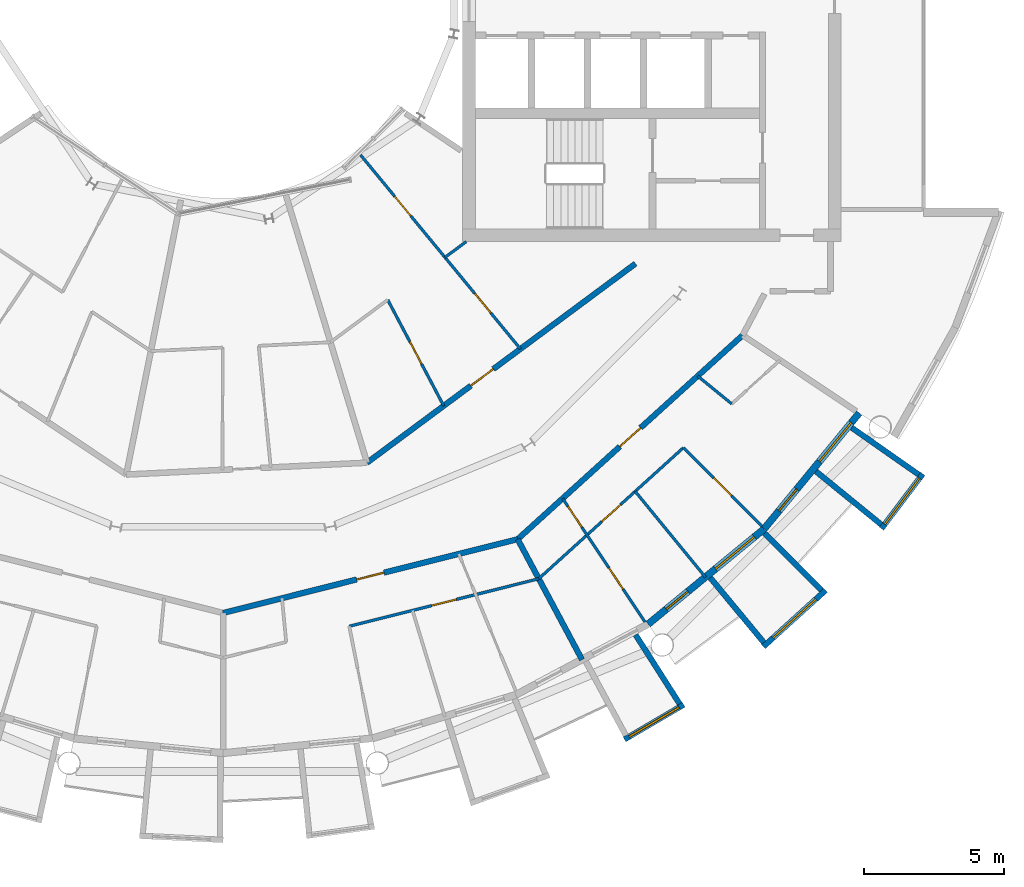
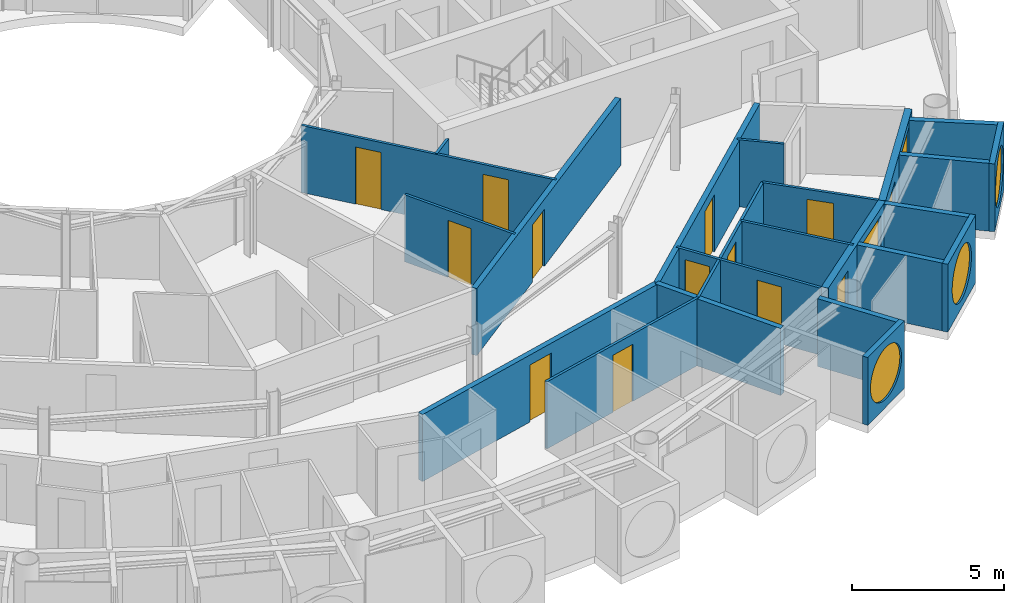
# One storey, part 18 of 29: 23 walls, 13 doors, 5 windows, 18 openings.
"""IFC4 building model written with IfcOpenShell, lengths in metres."""

from ifc_helpers import new_model, si_unit, direction, frame, frame_2d, origin, place, context, subcontext, project, spatial, rectangle, circle, extrude, material, layer, layer_set, type_object, element, fill, save


model = new_model("IFC4")

# Units and contexts
model_context = context("Model", 3, precision=1e-05, world=origin(), true_north=direction((0.0, 1.0)))
body_context = subcontext(model_context, "Body", "Model", "MODEL_VIEW")
ifc_project = project(units=[si_unit("LENGTHUNIT", "METRE"), si_unit("AREAUNIT", "SQUARE_METRE"), si_unit("VOLUMEUNIT", "CUBIC_METRE"), si_unit("PLANEANGLEUNIT", "RADIAN"), si_unit("MASSUNIT", "GRAM", prefix="KILO")], contexts=[model_context])

# Site, building, storey
site_placement = place(None, origin())
site = spatial("IfcSite", under=ifc_project, at=site_placement, CompositionType="ELEMENT")
building_placement = place(site_placement, origin())
building = spatial("IfcBuilding", under=site, at=building_placement, Name="Maasbend Ring Residences", CompositionType="ELEMENT")
storey_placement = place(building_placement, frame((0.0, 0.0, 193.25)))
storey = spatial("IfcBuildingStorey", under=building, at=storey_placement, Name="L55", CompositionType="ELEMENT", Elevation=193.25)

# Wall, opening, door
ifc_material_1 = material(Name="Concrete C30/37", Category="concrete")
ifc_layer_1 = layer(ifc_material_1, 0.199951171875)
ifc_layer_set_1 = layer_set([ifc_layer_1], Name="Concrete C30/37")
wall_type_1 = type_object("IfcWallType", Name="CORRIDOR WALL 200 CONCRETE", PredefinedType="PARTITIONING", material=ifc_layer_set_1)
wall_1_placement = place(storey_placement, frame((-0.0048828125, -22.301025390625, 0.0), z_axis=(0.0, 0.0, 1.0), x_axis=(0.970023226325, 0.243012222716, 0.0)))
wall_1 = element("IfcWall", 1, at=wall_1_placement, inside=storey, type_object=wall_type_1, Name="U-L55-w015", PredefinedType="PARTITIONING", context=body_context, shape_type="SweptSolid", body=[
    extrude(rectangle(XDim=10.84716796875, YDim=0.199951171875, at=frame_2d((5.423583984375, 0.0))), origin(), (0.0, 0.0, 1.0), 2.699951171875),
])
opening_1_placement = place(wall_1_placement, frame((4.924072265625, 0.0, 0.0)))
opening_1 = element("IfcOpeningElement", 2, at=opening_1_placement, cuts=wall_1, Name="Opening D-5548", PredefinedType="OPENING", context=body_context, shape_type="SweptSolid", body=[
    extrude(rectangle(XDim=1.0, YDim=2.300048828125, at=frame_2d((0.5, 1.14990234375))), frame((0.0, 0.10986328125, 0.0), z_axis=(0.0, -1.0, 0.0), x_axis=(1.0, 0.0, 0.0)), (0.0, 0.0, 1.0), 0.219970703125),
])
ifc_material_2 = material(Name="Timber, fire-rated, painted", Category="wood")
door_type_1 = type_object("IfcDoorType", Name="FLAT ENTRANCE DOOR 1000 X 2300 FIRE-RATED", OperationType="NOTDEFINED", PredefinedType="DOOR", material=ifc_material_2)
door_1_placement = place(opening_1_placement, origin())
door_1 = element("IfcDoor", 3, at=door_1_placement, inside=storey, type_object=door_type_1, Name="D-5548", OperationType="SINGLE_SWING_RIGHT", OverallHeight=2.300048828125, OverallWidth=1.0, PredefinedType="DOOR", context=body_context, shape_type="SweptSolid", body=[
    extrude(rectangle(XDim=1.0, YDim=2.300048828125, at=frame_2d((0.5, 1.14990234375))), frame((0.0, 0.02490234375, 0.0), z_axis=(0.0, -1.0, 0.0), x_axis=(1.0, 0.0, 0.0)), (0.0, 0.0, 1.0), 0.050048828125),
])
fill(opening_1, door_1)

wall_2_placement = place(storey_placement, frame((10.510009765625, -19.6689453125, 0.0), z_axis=(0.0, 0.0, 1.0), x_axis=(0.74093897184, 0.671572363941, 0.0)))
wall_2 = element("IfcWall", 4, at=wall_2_placement, inside=storey, type_object=wall_type_1, Name="U-L55-w016", PredefinedType="PARTITIONING", context=body_context, shape_type="SweptSolid", body=[
    extrude(rectangle(XDim=10.84033203125, YDim=0.199951171875, at=frame_2d((5.420166015625, 0.0))), origin(), (0.0, 0.0, 1.0), 2.699951171875),
])
opening_2_placement = place(wall_2_placement, frame((4.922119140625, 0.0, 0.0)))
opening_2 = element("IfcOpeningElement", 5, at=opening_2_placement, cuts=wall_2, Name="Opening D-5554", PredefinedType="OPENING", context=body_context, shape_type="SweptSolid", body=[
    extrude(rectangle(XDim=1.0, YDim=2.300048828125, at=frame_2d((0.5, 1.14990234375))), frame((0.0, 0.10986328125, 0.0), z_axis=(0.0, -1.0, 0.0), x_axis=(1.0, 0.0, 0.0)), (0.0, 0.0, 1.0), 0.219970703125),
])
door_2_placement = place(opening_2_placement, origin())
door_2 = element("IfcDoor", 6, at=door_2_placement, inside=storey, type_object=door_type_1, Name="D-5554", OperationType="SINGLE_SWING_RIGHT", OverallHeight=2.300048828125, OverallWidth=1.0, PredefinedType="DOOR", context=body_context, shape_type="SweptSolid", body=[
    extrude(rectangle(XDim=1.0, YDim=2.300048828125, at=frame_2d((0.5, 1.14990234375))), frame((0.0, 0.02490234375, 0.0), z_axis=(0.0, -1.0, 0.0), x_axis=(1.0, 0.0, 0.0)), (0.0, 0.0, 1.0), 0.050048828125),
])
fill(opening_2, door_2)

wall_3_placement = place(storey_placement, frame((5.136962890625, -16.93798828125, 0.0), z_axis=(0.0, 0.0, 1.0), x_axis=(0.803240181354, 0.595655278712, 0.0)))
wall_3 = element("IfcWall", 7, at=wall_3_placement, inside=storey, type_object=wall_type_1, Name="U-L55-w018", PredefinedType="PARTITIONING", context=body_context, shape_type="SweptSolid", body=[
    extrude(rectangle(XDim=11.927978515625, YDim=0.199951171875, at=frame_2d((5.9638671875, 0.0))), origin(), (0.0, 0.0, 1.0), 2.699951171875),
])
opening_3_placement = place(wall_3_placement, frame((4.612060546875, 0.0, 0.0)))
opening_3 = element("IfcOpeningElement", 8, at=opening_3_placement, cuts=wall_3, Name="Opening D-5567", PredefinedType="OPENING", context=body_context, shape_type="SweptSolid", body=[
    extrude(rectangle(XDim=1.0, YDim=2.300048828125, at=frame_2d((0.5, 1.14990234375))), frame((0.0, 0.10986328125, 0.0), z_axis=(0.0, -1.0, 0.0), x_axis=(1.0, 0.0, 0.0)), (0.0, 0.0, 1.0), 0.219970703125),
])
door_3_placement = place(opening_3_placement, origin())
door_3 = element("IfcDoor", 9, at=door_3_placement, inside=storey, type_object=door_type_1, Name="D-5567", OperationType="SINGLE_SWING_LEFT", OverallHeight=2.300048828125, OverallWidth=1.0, PredefinedType="DOOR", context=body_context, shape_type="SweptSolid", body=[
    extrude(rectangle(XDim=1.0, YDim=2.300048828125, at=frame_2d((0.5, 1.14990234375))), frame((0.0, 0.02490234375, 0.0), z_axis=(0.0, -1.0, 0.0), x_axis=(1.0, 0.0, 0.0)), (0.0, 0.0, 1.0), 0.050048828125),
])
fill(opening_3, door_3)

# Wall, opening, window
ifc_material_3 = material(Name="Pale anodised aluminium panel", Category="aluminium")
ifc_layer_2 = layer(ifc_material_3, 0.199951171875)
ifc_layer_set_2 = layer_set([ifc_layer_2], Name="EW-BOX")
wall_type_2 = type_object("IfcWallType", Name="EW-BOX", PredefinedType="SOLIDWALL", material=ifc_layer_set_2)
wall_4_placement = place(storey_placement, frame((14.326904296875, -26.81201171875, -0.030029296875), z_axis=(0.0, 0.0, 1.0), x_axis=(0.862403467503, 0.506221551535, 0.0)))
wall_4 = element("IfcWall", 10, at=wall_4_placement, inside=storey, type_object=wall_type_2, Name="Box front S16", PredefinedType="SOLIDWALL", context=body_context, shape_type="SweptSolid", body=[
    extrude(rectangle(XDim=2.445556640625, YDim=0.199951171875, at=frame_2d((1.22265625, 0.0))), origin(), (0.0, 0.0, 1.0), 2.72998046875),
])
opening_4_placement = place(wall_4_placement, frame((0.182861328125, 0.0, 0.330078125)))
opening_4 = element("IfcOpeningElement", 11, at=opening_4_placement, cuts=wall_4, Name="Opening W-RD", PredefinedType="OPENING", context=body_context, shape_type="SweptSolid", body=[
    extrude(circle(Radius=1.0400390625, at=frame_2d((1.0400390625, 1.0400390625))), frame((0.0, 0.10986328125, 0.0), z_axis=(0.0, -1.0, 0.0), x_axis=(1.0, 0.0, 0.0)), (0.0, 0.0, 1.0), 0.219970703125),
])
ifc_material_4 = material(Name="Aluminium and clear glass", Category="aluminium")
window_type_1 = type_object("IfcWindowType", Name="W-RD", PartitioningType="SINGLE_PANEL", PredefinedType="WINDOW", material=ifc_material_4)
window_1_placement = place(opening_4_placement, origin())
window_1 = element("IfcWindow", 12, at=window_1_placement, inside=storey, type_object=window_type_1, Name="Round window S16", OverallHeight=2.080078125, OverallWidth=2.080078125, PartitioningType="SINGLE_PANEL", PredefinedType="WINDOW", context=body_context, shape_type="SweptSolid", body=[
    extrude(circle(Radius=1.0400390625, at=frame_2d((1.0400390625, 1.0400390625))), frame((0.0, 0.030029296875, 0.0), z_axis=(0.0, -1.0, 0.0), x_axis=(1.0, 0.0, 0.0)), (0.0, 0.0, 1.0), 0.06005859375),
])
fill(opening_4, window_1)

# Wall
wall_5_placement = place(storey_placement, frame((14.721923828125, -23.0791015625, -0.030029296875), z_axis=(0.0, 0.0, 1.0), x_axis=(0.537572179146, -0.843217737129, 0.0)))
element("IfcWall", 13, at=wall_5_placement, inside=storey, type_object=wall_type_2, Name="Box side wall S16 right", PredefinedType="SOLIDWALL", context=body_context, shape_type="SweptSolid", body=[
    extrude(rectangle(XDim=2.92431640625, YDim=0.199951171875, at=frame_2d((1.462158203125, 0.0))), origin(), (0.0, 0.0, 1.0), 2.72998046875),
])

# Wall, opening, window
wall_6_placement = place(storey_placement, frame((19.281982421875, -23.5029296875, -0.030029296875), z_axis=(0.0, 0.0, 1.0), x_axis=(0.740998365753, 0.671506829416, 0.0)))
wall_6 = element("IfcWall", 14, at=wall_6_placement, inside=storey, type_object=wall_type_2, Name="Box front S18", PredefinedType="SOLIDWALL", context=body_context, shape_type="SweptSolid", body=[
    extrude(rectangle(XDim=2.9931640625, YDim=0.199951171875, at=frame_2d((1.49658203125, 0.0))), origin(), (0.0, 0.0, 1.0), 2.72998046875),
])
opening_5_placement = place(wall_6_placement, frame((0.45654296875, 0.0, 0.330078125)))
opening_5 = element("IfcOpeningElement", 15, at=opening_5_placement, cuts=wall_6, Name="Opening W-RD", PredefinedType="OPENING", context=body_context, shape_type="SweptSolid", body=[
    extrude(circle(Radius=1.0400390625, at=frame_2d((1.0400390625, 1.0400390625))), frame((0.0, 0.10986328125, 0.0), z_axis=(0.0, -1.0, 0.0), x_axis=(1.0, 0.0, 0.0)), (0.0, 0.0, 1.0), 0.219970703125),
])
window_2_placement = place(opening_5_placement, origin())
window_2 = element("IfcWindow", 16, at=window_2_placement, inside=storey, type_object=window_type_1, Name="Round window S18", OverallHeight=2.080078125, OverallWidth=2.080078125, PartitioningType="SINGLE_PANEL", PredefinedType="WINDOW", context=body_context, shape_type="SweptSolid", body=[
    extrude(circle(Radius=1.0400390625, at=frame_2d((1.0400390625, 1.0400390625))), frame((0.0, 0.030029296875, 0.0), z_axis=(0.0, -1.0, 0.0), x_axis=(1.0, 0.0, 0.0)), (0.0, 0.0, 1.0), 0.06005859375),
])
fill(opening_5, window_2)

# Walls
wall_7_placement = place(storey_placement, frame((17.384033203125, -21.041015625, -0.030029296875), z_axis=(0.0, 0.0, 1.0), x_axis=(0.63709551667, -0.770784861449, 0.0)))
element("IfcWall", 17, at=wall_7_placement, inside=storey, type_object=wall_type_2, Name="Box side wall S18 left", PredefinedType="SOLIDWALL", context=body_context, shape_type="SweptSolid", body=[
    extrude(rectangle(XDim=3.005859375, YDim=0.199951171875, at=frame_2d((1.5029296875, 0.0))), origin(), (0.0, 0.0, 1.0), 2.72998046875),
])
wall_8_placement = place(storey_placement, frame((19.322998046875, -19.449951171875, -0.030029296875), z_axis=(0.0, 0.0, 1.0), x_axis=(0.704476739375, -0.709727076896, 0.0)))
element("IfcWall", 18, at=wall_8_placement, inside=storey, type_object=wall_type_2, Name="Box side wall S18 right", PredefinedType="SOLIDWALL", context=body_context, shape_type="SweptSolid", body=[
    extrude(rectangle(XDim=2.883056640625, YDim=0.199951171875, at=frame_2d((1.44140625, 0.0))), origin(), (0.0, 0.0, 1.0), 2.72998046875),
])

# Wall, opening, window
wall_9_placement = place(storey_placement, frame((23.4970703125, -19.2890625, -0.030029296875), z_axis=(0.0, 0.0, 1.0), x_axis=(0.602806268067, 0.797887588059, 0.0)))
wall_9 = element("IfcWall", 19, at=wall_9_placement, inside=storey, type_object=wall_type_2, Name="Box front S20", PredefinedType="SOLIDWALL", context=body_context, shape_type="SweptSolid", body=[
    extrude(rectangle(XDim=2.446533203125, YDim=0.199951171875, at=frame_2d((1.22314453125, 0.0))), origin(), (0.0, 0.0, 1.0), 2.72998046875),
])
opening_6_placement = place(wall_9_placement, frame((0.182861328125, 0.0, 0.330078125)))
opening_6 = element("IfcOpeningElement", 20, at=opening_6_placement, cuts=wall_9, Name="Opening W-RD", PredefinedType="OPENING", context=body_context, shape_type="SweptSolid", body=[
    extrude(circle(Radius=1.0400390625, at=frame_2d((1.0400390625, 1.0400390625))), frame((0.0, 0.10986328125, 0.0), z_axis=(0.0, -1.0, 0.0), x_axis=(1.0, 0.0, 0.0)), (0.0, 0.0, 1.0), 0.219970703125),
])
window_3_placement = place(opening_6_placement, origin())
window_3 = element("IfcWindow", 21, at=window_3_placement, inside=storey, type_object=window_type_1, Name="Round window S20", OverallHeight=2.080078125, OverallWidth=2.080078125, PartitioningType="SINGLE_PANEL", PredefinedType="WINDOW", context=body_context, shape_type="SweptSolid", body=[
    extrude(circle(Radius=1.0400390625, at=frame_2d((1.0400390625, 1.0400390625))), frame((0.0, 0.030029296875, 0.0), z_axis=(0.0, -1.0, 0.0), x_axis=(1.0, 0.0, 0.0)), (0.0, 0.0, 1.0), 0.06005859375),
])
fill(opening_6, window_3)

# Walls
wall_10_placement = place(storey_placement, frame((21.155029296875, -17.24609375, -0.030029296875), z_axis=(0.0, 0.0, 1.0), x_axis=(0.775179004516, -0.631741648902, 0.0)))
element("IfcWall", 22, at=wall_10_placement, inside=storey, type_object=wall_type_2, Name="Box side wall S20 left", PredefinedType="SOLIDWALL", context=body_context, shape_type="SweptSolid", body=[
    extrude(rectangle(XDim=3.005859375, YDim=0.199951171875, at=frame_2d((1.5029296875, 0.0))), origin(), (0.0, 0.0, 1.0), 2.72998046875),
])
wall_11_placement = place(storey_placement, frame((22.43310546875, -15.68798828125, -0.030029296875), z_axis=(0.0, 0.0, 1.0), x_axis=(0.819373043115, -0.573260687834, 0.0)))
element("IfcWall", 23, at=wall_11_placement, inside=storey, type_object=wall_type_2, Name="Box side wall S20 right", PredefinedType="SOLIDWALL", context=body_context, shape_type="SweptSolid", body=[
    extrude(rectangle(XDim=2.92529296875, YDim=0.199951171875, at=frame_2d((1.462646484375, 0.0))), origin(), (0.0, 0.0, 1.0), 2.72998046875),
])

# Wall, openings, door, window
ifc_material_5 = material(Name="Aluminium clad insulated panel", Category="aluminium")
ifc_layer_3 = layer(ifc_material_5, 0.25)
ifc_layer_set_3 = layer_set([ifc_layer_3], Name="EW-GL")
wall_type_3 = type_object("IfcWallType", Name="EW-GL", PredefinedType="SOLIDWALL", material=ifc_layer_set_3)
wall_12_placement = place(storey_placement, frame((15.1669921875, -22.698974609375, 0.0), z_axis=(0.0, 0.0, 1.0), x_axis=(0.773019449054, 0.634382322723, 0.0)))
wall_12 = element("IfcWall", 24, at=wall_12_placement, inside=storey, type_object=wall_type_3, Name="External wall S09", PredefinedType="SOLIDWALL", context=body_context, shape_type="SweptSolid", body=[
    extrude(rectangle(XDim=5.351806640625, YDim=0.25, at=frame_2d((2.67578125, 0.0))), origin(), (0.0, 0.0, 1.0), 2.699951171875),
])
opening_7_placement = place(wall_12_placement, frame((0.841064453125, 0.0, 0.0)))
opening_7 = element("IfcOpeningElement", 25, at=opening_7_placement, cuts=wall_12, Name="Opening D-LG", PredefinedType="OPENING", context=body_context, shape_type="SweptSolid", body=[
    extrude(rectangle(XDim=1.0, YDim=2.199951171875, at=frame_2d((0.5, 1.10009765625))), frame((0.0, 0.135009765625, 0.0), z_axis=(0.0, -1.0, 0.0), x_axis=(1.0, 0.0, 0.0)), (0.0, 0.0, 1.0), 0.27001953125),
])
opening_8_placement = place(wall_12_placement, frame((3.110595703125, 0.0, 0.300048828125)))
opening_8 = element("IfcOpeningElement", 26, at=opening_8_placement, cuts=wall_12, Name="Opening W-BX", PredefinedType="OPENING", context=body_context, shape_type="SweptSolid", body=[
    extrude(rectangle(XDim=1.800048828125, YDim=2.10009765625, at=frame_2d((0.89990234375, 1.050048828125))), frame((0.0, 0.135009765625, 0.0), z_axis=(0.0, -1.0, 0.0), x_axis=(1.0, 0.0, 0.0)), (0.0, 0.0, 1.0), 0.27001953125),
])
ifc_material_6 = material(Name="Aluminium and clear glass", Category="aluminium")
door_type_2 = type_object("IfcDoorType", Name="D-LG", OperationType="SINGLE_SWING_LEFT", PredefinedType="DOOR", material=ifc_material_6)
door_4_placement = place(opening_7_placement, origin())
door_4 = element("IfcDoor", 27, at=door_4_placement, inside=storey, type_object=door_type_2, Name="Loggia door S17", OperationType="SINGLE_SWING_LEFT", OverallHeight=2.199951171875, OverallWidth=1.0, PredefinedType="DOOR", context=body_context, shape_type="SweptSolid", body=[
    extrude(rectangle(XDim=1.0, YDim=2.199951171875, at=frame_2d((0.5, 1.10009765625))), frame((0.0, 0.02490234375, 0.0), z_axis=(0.0, -1.0, 0.0), x_axis=(1.0, 0.0, 0.0)), (0.0, 0.0, 1.0), 0.050048828125),
])
fill(opening_7, door_4)
ifc_material_7 = material(Name="Aluminium and clear glass", Category="aluminium")
window_type_2 = type_object("IfcWindowType", Name="W-BX", PartitioningType="DOUBLE_PANEL_VERTICAL", PredefinedType="WINDOW", material=ifc_material_7)
window_4_placement = place(opening_8_placement, origin())
window_4 = element("IfcWindow", 28, at=window_4_placement, inside=storey, type_object=window_type_2, Name="Window S18 room to box", OverallHeight=2.10009765625, OverallWidth=1.800048828125, PartitioningType="SINGLE_PANEL", PredefinedType="WINDOW", context=body_context, shape_type="SweptSolid", body=[
    extrude(rectangle(XDim=1.800048828125, YDim=2.10009765625, at=frame_2d((0.89990234375, 1.050048828125))), frame((0.0, 0.030029296875, 0.0), z_axis=(0.0, -1.0, 0.0), x_axis=(1.0, 0.0, 0.0)), (0.0, 0.0, 1.0), 0.06005859375),
])
fill(opening_8, window_4)

wall_13_placement = place(storey_placement, frame((19.303955078125, -19.303955078125, 0.0), z_axis=(0.0, 0.0, 1.0), x_axis=(0.634382322723, 0.773019449054, 0.0)))
wall_13 = element("IfcWall", 29, at=wall_13_placement, inside=storey, type_object=wall_type_3, Name="External wall S10", PredefinedType="SOLIDWALL", context=body_context, shape_type="SweptSolid", body=[
    extrude(rectangle(XDim=5.351806640625, YDim=0.25, at=frame_2d((2.67578125, 0.0))), origin(), (0.0, 0.0, 1.0), 2.699951171875),
])
opening_9_placement = place(wall_13_placement, frame((0.841064453125, 0.0, 0.0)))
opening_9 = element("IfcOpeningElement", 30, at=opening_9_placement, cuts=wall_13, Name="Opening D-LG", PredefinedType="OPENING", context=body_context, shape_type="SweptSolid", body=[
    extrude(rectangle(XDim=1.0, YDim=2.199951171875, at=frame_2d((0.5, 1.10009765625))), frame((0.0, 0.135009765625, 0.0), z_axis=(0.0, -1.0, 0.0), x_axis=(1.0, 0.0, 0.0)), (0.0, 0.0, 1.0), 0.27001953125),
])
opening_10_placement = place(wall_13_placement, frame((3.110595703125, 0.0, 0.300048828125)))
opening_10 = element("IfcOpeningElement", 31, at=opening_10_placement, cuts=wall_13, Name="Opening W-BX", PredefinedType="OPENING", context=body_context, shape_type="SweptSolid", body=[
    extrude(rectangle(XDim=1.800048828125, YDim=2.10009765625, at=frame_2d((0.89990234375, 1.050048828125))), frame((0.0, 0.135009765625, 0.0), z_axis=(0.0, -1.0, 0.0), x_axis=(1.0, 0.0, 0.0)), (0.0, 0.0, 1.0), 0.27001953125),
])
door_5_placement = place(opening_9_placement, origin())
door_5 = element("IfcDoor", 32, at=door_5_placement, inside=storey, type_object=door_type_2, Name="Loggia door S19", OperationType="SINGLE_SWING_LEFT", OverallHeight=2.199951171875, OverallWidth=1.0, PredefinedType="DOOR", context=body_context, shape_type="SweptSolid", body=[
    extrude(rectangle(XDim=1.0, YDim=2.199951171875, at=frame_2d((0.5, 1.10009765625))), frame((0.0, 0.02490234375, 0.0), z_axis=(0.0, -1.0, 0.0), x_axis=(1.0, 0.0, 0.0)), (0.0, 0.0, 1.0), 0.050048828125),
])
fill(opening_9, door_5)
window_5_placement = place(opening_10_placement, origin())
window_5 = element("IfcWindow", 33, at=window_5_placement, inside=storey, type_object=window_type_2, Name="Window S20 room to box", OverallHeight=2.10009765625, OverallWidth=1.800048828125, PartitioningType="SINGLE_PANEL", PredefinedType="WINDOW", context=body_context, shape_type="SweptSolid", body=[
    extrude(rectangle(XDim=1.800048828125, YDim=2.10009765625, at=frame_2d((0.89990234375, 1.050048828125))), frame((0.0, 0.030029296875, 0.0), z_axis=(0.0, -1.0, 0.0), x_axis=(1.0, 0.0, 0.0)), (0.0, 0.0, 1.0), 0.06005859375),
])
fill(opening_10, window_5)

# Wall, opening, door
ifc_material_8 = material(Name="Gypsum board on steel studs", Category="steel")
ifc_layer_4 = layer(ifc_material_8, 0.10009765625)
ifc_layer_set_4 = layer_set([ifc_layer_4], Name="PARTITION 100 GYPSUM")
wall_type_4 = type_object("IfcWallType", Name="PARTITION 100 GYPSUM", PredefinedType="PARTITIONING", material=ifc_layer_set_4)
wall_14_placement = place(storey_placement, frame((4.501953125, -22.77294921875, 0.0), z_axis=(0.0, 0.0, 1.0), x_axis=(0.970080680347, 0.24278277043, 0.0)))
wall_14 = element("IfcWall", 34, at=wall_14_placement, inside=storey, type_object=wall_type_4, Name="U-L55-w006", PredefinedType="PARTITIONING", context=body_context, shape_type="SweptSolid", body=[
    extrude(rectangle(XDim=6.972900390625, YDim=0.10009765625, at=frame_2d((3.486328125, 0.0))), origin(), (0.0, 0.0, 1.0), 2.699951171875),
])
opening_11_placement = place(wall_14_placement, frame((3.037109375, 0.0, 0.0)))
opening_11 = element("IfcOpeningElement", 35, at=opening_11_placement, cuts=wall_14, Name="Opening D-5552", PredefinedType="OPENING", context=body_context, shape_type="SweptSolid", body=[
    extrude(rectangle(XDim=0.89990234375, YDim=2.300048828125, at=frame_2d((0.449951171875, 1.14990234375))), frame((0.0, 0.06005859375, 0.0), z_axis=(0.0, -1.0, 0.0), x_axis=(1.0, 0.0, 0.0)), (0.0, 0.0, 1.0), 0.1201171875),
])
ifc_material_9 = material(Name="Timber, painted", Category="wood")
door_type_3 = type_object("IfcDoorType", Name="INTERNAL DOOR 900 X 2300", OperationType="NOTDEFINED", PredefinedType="DOOR", material=ifc_material_9)
door_6_placement = place(opening_11_placement, origin())
door_6 = element("IfcDoor", 36, at=door_6_placement, inside=storey, type_object=door_type_3, Name="D-5552", OperationType="SINGLE_SWING_RIGHT", OverallHeight=2.300048828125, OverallWidth=0.89990234375, PredefinedType="DOOR", context=body_context, shape_type="SweptSolid", body=[
    extrude(rectangle(XDim=0.89990234375, YDim=2.300048828125, at=frame_2d((0.449951171875, 1.14990234375))), frame((0.0, 0.02490234375, 0.0), z_axis=(0.0, -1.0, 0.0), x_axis=(1.0, 0.0, 0.0)), (0.0, 0.0, 1.0), 0.050048828125),
])
fill(opening_11, door_6)

wall_15_placement = place(storey_placement, frame((11.26611328125, -21.077880859375, 0.0), z_axis=(0.0, 0.0, 1.0), x_axis=(0.741084540886, 0.671411724101, 0.0)))
wall_15 = element("IfcWall", 37, at=wall_15_placement, inside=storey, type_object=wall_type_4, Name="U-L55-w007", PredefinedType="PARTITIONING", context=body_context, shape_type="SweptSolid", body=[
    extrude(rectangle(XDim=6.962646484375, YDim=0.10009765625, at=frame_2d((3.4814453125, 0.0))), origin(), (0.0, 0.0, 1.0), 2.699951171875),
])
opening_12_placement = place(wall_15_placement, frame((3.034912109375, 0.0, 0.0)))
opening_12 = element("IfcOpeningElement", 38, at=opening_12_placement, cuts=wall_15, Name="Opening D-5558", PredefinedType="OPENING", context=body_context, shape_type="SweptSolid", body=[
    extrude(rectangle(XDim=0.89990234375, YDim=2.300048828125, at=frame_2d((0.449951171875, 1.14990234375))), frame((0.0, 0.06005859375, 0.0), z_axis=(0.0, -1.0, 0.0), x_axis=(1.0, 0.0, 0.0)), (0.0, 0.0, 1.0), 0.1201171875),
])
door_7_placement = place(opening_12_placement, origin())
door_7 = element("IfcDoor", 39, at=door_7_placement, inside=storey, type_object=door_type_3, Name="D-5558", OperationType="SINGLE_SWING_RIGHT", OverallHeight=2.300048828125, OverallWidth=0.89990234375, PredefinedType="DOOR", context=body_context, shape_type="SweptSolid", body=[
    extrude(rectangle(XDim=0.89990234375, YDim=2.300048828125, at=frame_2d((0.449951171875, 1.14990234375))), frame((0.0, 0.02490234375, 0.0), z_axis=(0.0, -1.0, 0.0), x_axis=(1.0, 0.0, 0.0)), (0.0, 0.0, 1.0), 0.050048828125),
])
fill(opening_12, door_7)

# Wall
wall_16_placement = place(storey_placement, frame((7.9189453125, -9.611083984375, 0.0), z_axis=(0.0, 0.0, 1.0), x_axis=(0.803437844371, 0.595388637977, 0.0)))
element("IfcWall", 40, at=wall_16_placement, inside=storey, type_object=wall_type_4, Name="U-L55-w023", PredefinedType="PARTITIONING", context=body_context, shape_type="SweptSolid", body=[
    extrude(rectangle(XDim=0.9423828125, YDim=0.10009765625, at=frame_2d((0.47119140625, 0.0))), origin(), (0.0, 0.0, 1.0), 2.699951171875),
])

# Wall, openings, doors
wall_17_placement = place(storey_placement, frame((4.907958984375, -5.958984375, 0.0), z_axis=(0.0, 0.0, 1.0), x_axis=(0.636115614725, -0.771593756262, 0.0)))
wall_17 = element("IfcWall", 41, at=wall_17_placement, inside=storey, type_object=wall_type_4, Name="U-L55-w072", PredefinedType="PARTITIONING", context=body_context, shape_type="SweptSolid", body=[
    extrude(rectangle(XDim=8.967041015625, YDim=0.10009765625, at=frame_2d((4.4833984375, 0.0))), origin(), (0.0, 0.0, 1.0), 2.699951171875),
])
opening_13_placement = place(wall_17_placement, frame((6.39990234375, 0.0, 0.0)))
opening_13 = element("IfcOpeningElement", 42, at=opening_13_placement, cuts=wall_17, Name="Opening D-5569", PredefinedType="OPENING", context=body_context, shape_type="SweptSolid", body=[
    extrude(rectangle(XDim=0.89990234375, YDim=2.300048828125, at=frame_2d((0.449951171875, 1.14990234375))), frame((0.0, 0.06005859375, 0.0), z_axis=(0.0, -1.0, 0.0), x_axis=(1.0, 0.0, 0.0)), (0.0, 0.0, 1.0), 0.1201171875),
])
opening_14_placement = place(wall_17_placement, frame((1.9169921875, 0.0, 0.0)))
opening_14 = element("IfcOpeningElement", 43, at=opening_14_placement, cuts=wall_17, Name="Opening D-5570", PredefinedType="OPENING", context=body_context, shape_type="SweptSolid", body=[
    extrude(rectangle(XDim=0.89990234375, YDim=2.300048828125, at=frame_2d((0.449951171875, 1.14990234375))), frame((0.0, 0.06005859375, 0.0), z_axis=(0.0, -1.0, 0.0), x_axis=(1.0, 0.0, 0.0)), (0.0, 0.0, 1.0), 0.1201171875),
])
door_8_placement = place(opening_13_placement, origin())
door_8 = element("IfcDoor", 44, at=door_8_placement, inside=storey, type_object=door_type_3, Name="D-5569", OperationType="SINGLE_SWING_RIGHT", OverallHeight=2.300048828125, OverallWidth=0.89990234375, PredefinedType="DOOR", context=body_context, shape_type="SweptSolid", body=[
    extrude(rectangle(XDim=0.89990234375, YDim=2.300048828125, at=frame_2d((0.449951171875, 1.14990234375))), frame((0.0, 0.02490234375, 0.0), z_axis=(0.0, -1.0, 0.0), x_axis=(1.0, 0.0, 0.0)), (0.0, 0.0, 1.0), 0.050048828125),
])
fill(opening_13, door_8)
door_9_placement = place(opening_14_placement, origin())
door_9 = element("IfcDoor", 45, at=door_9_placement, inside=storey, type_object=door_type_3, Name="D-5570", OperationType="SINGLE_SWING_LEFT", OverallHeight=2.300048828125, OverallWidth=0.89990234375, PredefinedType="DOOR", context=body_context, shape_type="SweptSolid", body=[
    extrude(rectangle(XDim=0.89990234375, YDim=2.300048828125, at=frame_2d((0.449951171875, 1.14990234375))), frame((0.0, 0.02490234375, 0.0), z_axis=(0.0, -1.0, 0.0), x_axis=(1.0, 0.0, 0.0)), (0.0, 0.0, 1.0), 0.050048828125),
])
fill(opening_14, door_9)

# Wall, opening, door
wall_18_placement = place(storey_placement, frame((5.8759765625, -11.1259765625, 0.0), z_axis=(0.0, 0.0, 1.0), x_axis=(0.467030118529, -0.884241408432, 0.0)))
wall_18 = element("IfcWall", 46, at=wall_18_placement, inside=storey, type_object=wall_type_4, Name="U-L55-w074", PredefinedType="PARTITIONING", context=body_context, shape_type="SweptSolid", body=[
    extrude(rectangle(XDim=4.278076171875, YDim=0.10009765625, at=frame_2d((2.13916015625, 0.0))), origin(), (0.0, 0.0, 1.0), 2.699951171875),
])
opening_15_placement = place(wall_18_placement, frame((1.68896484375, 0.0, 0.0)))
opening_15 = element("IfcOpeningElement", 47, at=opening_15_placement, cuts=wall_18, Name="Opening D-5568", PredefinedType="OPENING", context=body_context, shape_type="SweptSolid", body=[
    extrude(rectangle(XDim=0.89990234375, YDim=2.300048828125, at=frame_2d((0.449951171875, 1.14990234375))), frame((0.0, 0.06005859375, 0.0), z_axis=(0.0, -1.0, 0.0), x_axis=(1.0, 0.0, 0.0)), (0.0, 0.0, 1.0), 0.1201171875),
])
door_10_placement = place(opening_15_placement, origin())
door_10 = element("IfcDoor", 48, at=door_10_placement, inside=storey, type_object=door_type_3, Name="D-5568", OperationType="SINGLE_SWING_LEFT", OverallHeight=2.300048828125, OverallWidth=0.89990234375, PredefinedType="DOOR", context=body_context, shape_type="SweptSolid", body=[
    extrude(rectangle(XDim=0.89990234375, YDim=2.300048828125, at=frame_2d((0.449951171875, 1.14990234375))), frame((0.0, 0.02490234375, 0.0), z_axis=(0.0, -1.0, 0.0), x_axis=(1.0, 0.0, 0.0)), (0.0, 0.0, 1.0), 0.050048828125),
])
fill(opening_15, door_10)

# Wall, openings, doors
wall_19_placement = place(storey_placement, frame((12.117919921875, -18.2109375, 0.0), z_axis=(0.0, 0.0, 1.0), x_axis=(0.554126060637, -0.832432765407, 0.0)))
wall_19 = element("IfcWall", 49, at=wall_19_placement, inside=storey, type_object=wall_type_4, Name="U-L55-w081", PredefinedType="PARTITIONING", context=body_context, shape_type="SweptSolid", body=[
    extrude(rectangle(XDim=5.30029296875, YDim=0.10009765625, at=frame_2d((2.650146484375, 0.0))), origin(), (0.0, 0.0, 1.0), 2.699951171875),
])
opening_16_placement = place(wall_19_placement, frame((0.3349609375, 0.0, 0.0)))
opening_16 = element("IfcOpeningElement", 50, at=opening_16_placement, cuts=wall_19, Name="Opening D-5556", PredefinedType="OPENING", context=body_context, shape_type="SweptSolid", body=[
    extrude(rectangle(XDim=0.89990234375, YDim=2.300048828125, at=frame_2d((0.449951171875, 1.14990234375))), frame((0.0, 0.06005859375, 0.0), z_axis=(0.0, -1.0, 0.0), x_axis=(1.0, 0.0, 0.0)), (0.0, 0.0, 1.0), 0.1201171875),
])
opening_17_placement = place(wall_19_placement, frame((2.985107421875, 0.0, 0.0)))
opening_17 = element("IfcOpeningElement", 51, at=opening_17_placement, cuts=wall_19, Name="Opening D-5559", PredefinedType="OPENING", context=body_context, shape_type="SweptSolid", body=[
    extrude(rectangle(XDim=0.89990234375, YDim=2.300048828125, at=frame_2d((0.449951171875, 1.14990234375))), frame((0.0, 0.06005859375, 0.0), z_axis=(0.0, -1.0, 0.0), x_axis=(1.0, 0.0, 0.0)), (0.0, 0.0, 1.0), 0.1201171875),
])
door_11_placement = place(opening_16_placement, origin())
door_11 = element("IfcDoor", 52, at=door_11_placement, inside=storey, type_object=door_type_3, Name="D-5556", OperationType="SINGLE_SWING_LEFT", OverallHeight=2.300048828125, OverallWidth=0.89990234375, PredefinedType="DOOR", context=body_context, shape_type="SweptSolid", body=[
    extrude(rectangle(XDim=0.89990234375, YDim=2.300048828125, at=frame_2d((0.449951171875, 1.14990234375))), frame((0.0, 0.02490234375, 0.0), z_axis=(0.0, -1.0, 0.0), x_axis=(1.0, 0.0, 0.0)), (0.0, 0.0, 1.0), 0.050048828125),
])
fill(opening_16, door_11)
door_12_placement = place(opening_17_placement, origin())
door_12 = element("IfcDoor", 53, at=door_12_placement, inside=storey, type_object=door_type_3, Name="D-5559", OperationType="SINGLE_SWING_RIGHT", OverallHeight=2.300048828125, OverallWidth=0.89990234375, PredefinedType="DOOR", context=body_context, shape_type="SweptSolid", body=[
    extrude(rectangle(XDim=0.89990234375, YDim=2.300048828125, at=frame_2d((0.449951171875, 1.14990234375))), frame((0.0, 0.02490234375, 0.0), z_axis=(0.0, -1.0, 0.0), x_axis=(1.0, 0.0, 0.0)), (0.0, 0.0, 1.0), 0.050048828125),
])
fill(opening_17, door_12)

# Wall
wall_20_placement = place(storey_placement, frame((14.7060546875, -17.9609375, 0.0), z_axis=(0.0, 0.0, 1.0), x_axis=(0.633590098448, -0.773668913133, 0.0)))
element("IfcWall", 54, at=wall_20_placement, inside=storey, type_object=wall_type_4, Name="U-L55-w083", PredefinedType="PARTITIONING", context=body_context, shape_type="SweptSolid", body=[
    extrude(rectangle(XDim=3.961669921875, YDim=0.10009765625, at=frame_2d((1.98095703125, 0.0))), origin(), (0.0, 0.0, 1.0), 2.699951171875),
])

# Wall, opening, door
wall_21_placement = place(storey_placement, frame((16.427001953125, -16.40087890625, 0.0), z_axis=(0.0, 0.0, 1.0), x_axis=(0.707722727509, -0.706490297858, 0.0)))
wall_21 = element("IfcWall", 55, at=wall_21_placement, inside=storey, type_object=wall_type_4, Name="U-L55-w085", PredefinedType="PARTITIONING", context=body_context, shape_type="SweptSolid", body=[
    extrude(rectangle(XDim=3.9619140625, YDim=0.10009765625, at=frame_2d((1.98095703125, 0.0))), origin(), (0.0, 0.0, 1.0), 2.699951171875),
])
opening_18_placement = place(wall_21_placement, frame((1.531005859375, 0.0, 0.0)))
opening_18 = element("IfcOpeningElement", 56, at=opening_18_placement, cuts=wall_21, Name="Opening D-5557", PredefinedType="OPENING", context=body_context, shape_type="SweptSolid", body=[
    extrude(rectangle(XDim=0.89990234375, YDim=2.300048828125, at=frame_2d((0.449951171875, 1.14990234375))), frame((0.0, 0.06005859375, 0.0), z_axis=(0.0, -1.0, 0.0), x_axis=(1.0, 0.0, 0.0)), (0.0, 0.0, 1.0), 0.1201171875),
])
door_13_placement = place(opening_18_placement, origin())
door_13 = element("IfcDoor", 57, at=door_13_placement, inside=storey, type_object=door_type_3, Name="D-5557", OperationType="SINGLE_SWING_RIGHT", OverallHeight=2.300048828125, OverallWidth=0.89990234375, PredefinedType="DOOR", context=body_context, shape_type="SweptSolid", body=[
    extrude(rectangle(XDim=0.89990234375, YDim=2.300048828125, at=frame_2d((0.449951171875, 1.14990234375))), frame((0.0, 0.02490234375, 0.0), z_axis=(0.0, -1.0, 0.0), x_axis=(1.0, 0.0, 0.0)), (0.0, 0.0, 1.0), 0.050048828125),
])
fill(opening_18, door_13)

# Walls
wall_22_placement = place(storey_placement, frame((16.93603515625, -13.844970703125, 0.0), z_axis=(0.0, 0.0, 1.0), x_axis=(0.774283039722, -0.632839453889, 0.0)))
element("IfcWall", 58, at=wall_22_placement, inside=storey, type_object=wall_type_4, Name="U-L55-w087", PredefinedType="PARTITIONING", context=body_context, shape_type="SweptSolid", body=[
    extrude(rectangle(XDim=1.569091796875, YDim=0.10009765625, at=frame_2d((0.78466796875, 0.0))), origin(), (0.0, 0.0, 1.0), 2.699951171875),
])
ifc_material_10 = material(Name="Concrete C30/37", Category="concrete")
ifc_layer_5 = layer(ifc_material_10, 0.199951171875)
ifc_layer_set_5 = layer_set([ifc_layer_5], Name="Concrete C30/37")
wall_type_5 = type_object("IfcWallType", Name="PARTY WALL 200 CONCRETE", PredefinedType="PARTITIONING", material=ifc_layer_set_5)
wall_23_placement = place(storey_placement, frame((10.511962890625, -19.6669921875, 0.0), z_axis=(0.0, 0.0, 1.0), x_axis=(0.471427642527, -0.881904744211, 0.0)))
element("IfcWall", 59, at=wall_23_placement, inside=storey, type_object=wall_type_5, Name="U-L55-w079", PredefinedType="PARTITIONING", context=body_context, shape_type="SweptSolid", body=[
    extrude(rectangle(XDim=4.874755859375, YDim=0.199951171875, at=frame_2d((2.4375, 0.0))), origin(), (0.0, 0.0, 1.0), 2.699951171875),
])

save(model, "model.ifc")
